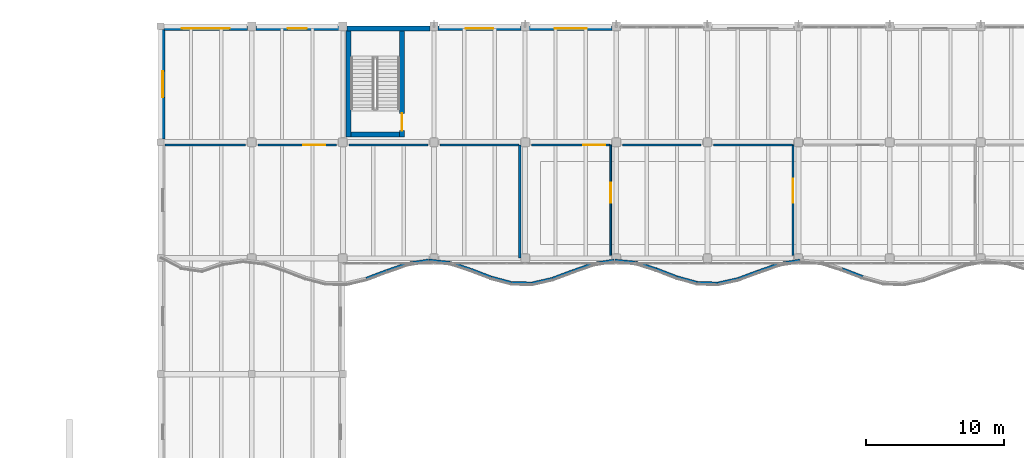
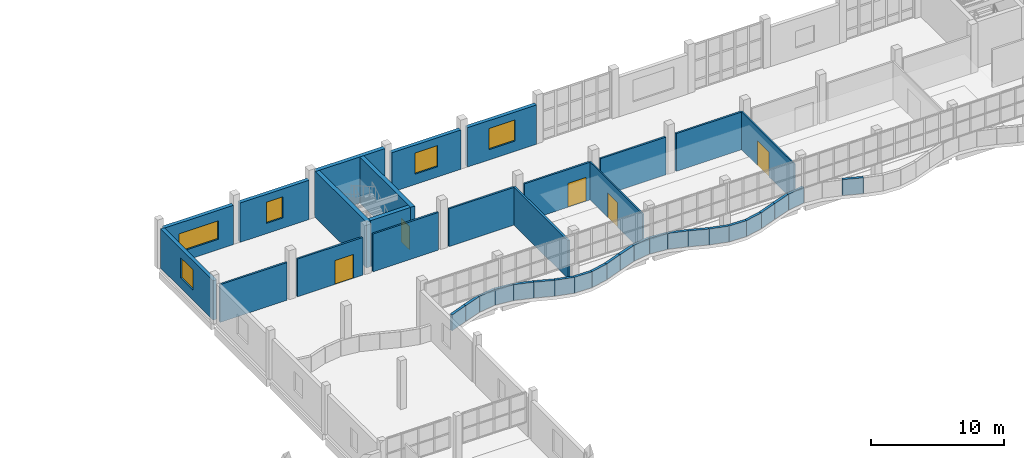
# One storey, part 48 of 76: 41 walls, 5 doors, 5 windows, 10 openings.
"""IFC4 building model written with IfcOpenShell, lengths in metres."""

from ifc_helpers import new_model, si_unit, direction, frame, frame_2d, origin, place, context, subcontext, project, spatial, rectangle, extrude, material, layer, layer_set, type_object, element, fill, save


model = new_model("IFC4")

# Units and contexts
model_context = context("Model", 3, precision=1e-05, world=origin(), true_north=direction((0.0, 1.0)))
body_context = subcontext(model_context, "Body", "Model", "MODEL_VIEW")
ifc_project = project(units=[si_unit("LENGTHUNIT", "METRE"), si_unit("AREAUNIT", "SQUARE_METRE"), si_unit("VOLUMEUNIT", "CUBIC_METRE"), si_unit("PLANEANGLEUNIT", "RADIAN"), si_unit("MASSUNIT", "GRAM", prefix="KILO")], contexts=[model_context])

# Site, building, storey
site_placement = place(None, origin())
site = spatial("IfcSite", under=ifc_project, at=site_placement, CompositionType="ELEMENT")
building_placement = place(site_placement, origin())
building = spatial("IfcBuilding", under=site, at=building_placement, Name="Qaldarim Faculty of Natural and Applied Sciences", CompositionType="ELEMENT")
storey_placement = place(building_placement, frame((0.0, 0.0, 9.89990234375)))
storey = spatial("IfcBuildingStorey", under=building, at=storey_placement, Name="L02", CompositionType="ELEMENT", Elevation=9.89990234375)

# Wall, opening, door
ifc_material_1 = material(Name="Painted gypsum partition board")
ifc_layer_1 = layer(ifc_material_1, 0.1201171875)
ifc_layer_set_1 = layer_set([ifc_layer_1], Name="Painted gypsum partition board")
wall_type_1 = type_object("IfcWallType", Name="AcousticPartition-120", PredefinedType="PARTITIONING", material=ifc_layer_set_1)
wall_1_placement = place(storey_placement, frame((65.60009765625, 101.0, 0.0), z_axis=(0.0, 0.0, 1.0), x_axis=(0.0, 1.0, 0.0)))
wall_1 = element("IfcWall", 1, at=wall_1_placement, inside=storey, type_object=wall_type_1, Name="Interior partition PRT-L02-V4-SUB-1", PredefinedType="PARTITIONING", context=body_context, shape_type="SweptSolid", body=[
    extrude(rectangle(XDim=8.0, YDim=0.1201171875, at=frame_2d((4.0, 0.0))), origin(), (0.0, 0.0, 1.0), 3.489990234375),
])
opening_1_placement = place(wall_1_placement, frame((3.800048828125, 0.0, 0.0)))
opening_1 = element("IfcOpeningElement", 2, at=opening_1_placement, cuts=wall_1, Name="Opening ID11", PredefinedType="OPENING", context=body_context, shape_type="SweptSolid", body=[
    extrude(rectangle(XDim=1.449951171875, YDim=2.25, at=frame_2d((0.72509765625, 1.125))), frame((0.0, 0.070068359375, 0.0), z_axis=(0.0, -1.0, 0.0), x_axis=(1.0, 0.0, 0.0)), (0.0, 0.0, 1.0), 0.14013671875),
])
ifc_material_2 = material(Name="Architectural stainless steel 316", Category="steel")
door_type_1 = type_object("IfcDoorType", Name="InstrumentSuiteDoor-1450x2250", OperationType="NOTDEFINED", PredefinedType="DOOR", material=ifc_material_2)
door_1_placement = place(opening_1_placement, origin())
door_1 = element("IfcDoor", 3, at=door_1_placement, inside=storey, type_object=door_type_1, Name="Interior door D-L02-326", OperationType="SINGLE_SWING_LEFT", OverallHeight=2.25, OverallWidth=1.449951171875, PredefinedType="DOOR", context=body_context, shape_type="SweptSolid", body=[
    extrude(rectangle(XDim=1.449951171875, YDim=2.25, at=frame_2d((0.72509765625, 1.125))), frame((0.0, 0.02490234375, 0.0), z_axis=(0.0, -1.0, 0.0), x_axis=(1.0, 0.0, 0.0)), (0.0, 0.0, 1.0), 0.050048828125),
])
fill(opening_1, door_1)

wall_2_placement = place(storey_placement, frame((78.800048828125, 101.0, 0.0), z_axis=(0.0, 0.0, 1.0), x_axis=(0.0, 1.0, 0.0)))
wall_2 = element("IfcWall", 4, at=wall_2_placement, inside=storey, type_object=wall_type_1, Name="Interior partition PRT-L02-V4-SUB-2", PredefinedType="PARTITIONING", context=body_context, shape_type="SweptSolid", body=[
    extrude(rectangle(XDim=8.0, YDim=0.1201171875, at=frame_2d((4.0, 0.0))), origin(), (0.0, 0.0, 1.0), 3.489990234375),
])
opening_2_placement = place(wall_2_placement, frame((3.800048828125, 0.0, 0.0)))
opening_2 = element("IfcOpeningElement", 5, at=opening_2_placement, cuts=wall_2, Name="Opening ID12", PredefinedType="OPENING", context=body_context, shape_type="SweptSolid", body=[
    extrude(rectangle(XDim=1.75, YDim=2.300048828125, at=frame_2d((0.875, 1.14990234375))), frame((0.0, 0.070068359375, 0.0), z_axis=(0.0, -1.0, 0.0), x_axis=(1.0, 0.0, 0.0)), (0.0, 0.0, 1.0), 0.14013671875),
])
door_type_2 = type_object("IfcDoorType", Name="WorkshopDoubleDoor-1750x2300", OperationType="NOTDEFINED", PredefinedType="DOOR", material=ifc_material_2)
door_2_placement = place(opening_2_placement, origin())
door_2 = element("IfcDoor", 6, at=door_2_placement, inside=storey, type_object=door_type_2, Name="Interior door D-L02-327", OperationType="SINGLE_SWING_LEFT", OverallHeight=2.300048828125, OverallWidth=1.75, PredefinedType="DOOR", context=body_context, shape_type="SweptSolid", body=[
    extrude(rectangle(XDim=1.75, YDim=2.300048828125, at=frame_2d((0.875, 1.14990234375))), frame((0.0, 0.02490234375, 0.0), z_axis=(0.0, -1.0, 0.0), x_axis=(1.0, 0.0, 0.0)), (0.0, 0.0, 1.0), 0.050048828125),
])
fill(opening_2, door_2)

# Wall
ifc_material_3 = material(Name="Concrete C50/60", Category="concrete")
ifc_layer_2 = layer(ifc_material_3, 0.360107421875)
ifc_layer_set_2 = layer_set([ifc_layer_2], Name="Concrete C50/60")
wall_type_2 = type_object("IfcWallType", Name="CoreShearWall-360", PredefinedType="SHEAR", material=ifc_layer_set_2)
wall_3_placement = place(storey_placement, frame((46.6201171875, 109.590087890625, 0.0), z_axis=(0.0, 0.0, 1.0), x_axis=(0.0, 1.0, 0.0)))
element("IfcWall", 7, at=wall_3_placement, inside=storey, type_object=wall_type_2, Name="Core stair ST-B2 west shear wall L02", PredefinedType="SHEAR", context=body_context, shape_type="SweptSolid", body=[
    extrude(rectangle(XDim=7.83984375, YDim=0.360107421875, at=frame_2d((3.919921875, 0.0))), origin(), (0.0, 0.0, 1.0), 4.239990234375),
])

# Wall, opening, door
wall_4_placement = place(storey_placement, frame((50.47998046875, 109.590087890625, 0.0), z_axis=(0.0, 0.0, 1.0), x_axis=(0.0, 1.0, 0.0)))
wall_4 = element("IfcWall", 8, at=wall_4_placement, inside=storey, type_object=wall_type_2, Name="Core stair ST-B2 east shear wall L02", PredefinedType="SHEAR", context=body_context, shape_type="SweptSolid", body=[
    extrude(rectangle(XDim=7.83984375, YDim=0.360107421875, at=frame_2d((3.919921875, 0.0))), origin(), (0.0, 0.0, 1.0), 4.239990234375),
])
opening_3_placement = place(wall_4_placement, frame((0.449951171875, 0.0, 0.0)))
opening_3 = element("IfcOpeningElement", 9, at=opening_3_placement, cuts=wall_4, Name="Opening ID04", PredefinedType="OPENING", context=body_context, shape_type="SweptSolid", body=[
    extrude(rectangle(XDim=1.25, YDim=2.14990234375, at=frame_2d((0.625, 1.074951171875))), frame((0.0, 0.18994140625, 0.0), z_axis=(0.0, -1.0, 0.0), x_axis=(1.0, 0.0, 0.0)), (0.0, 0.0, 1.0), 0.380126953125),
])
door_type_3 = type_object("IfcDoorType", Name="StairEnclosureFireDoor-1250x2150", OperationType="NOTDEFINED", PredefinedType="DOOR", material=ifc_material_2)
door_3_placement = place(opening_3_placement, origin())
door_3 = element("IfcDoor", 10, at=door_3_placement, inside=storey, type_object=door_type_3, Name="Protected stair ST-B2 fire door D-L02-535", OperationType="SINGLE_SWING_RIGHT", OverallHeight=2.14990234375, OverallWidth=1.25, PredefinedType="DOOR", context=body_context, shape_type="SweptSolid", body=[
    extrude(rectangle(XDim=1.25, YDim=2.14990234375, at=frame_2d((0.625, 1.074951171875))), frame((0.0, 0.02490234375, 0.0), z_axis=(0.0, -1.0, 0.0), x_axis=(1.0, 0.0, 0.0)), (0.0, 0.0, 1.0), 0.050048828125),
])
fill(opening_3, door_3)

# Wall
wall_5_placement = place(storey_placement, frame((46.800048828125, 109.77001953125, 0.0), z_axis=(0.0, 0.0, 1.0), x_axis=(1.0, 0.0, 0.0)))
element("IfcWall", 11, at=wall_5_placement, inside=storey, type_object=wall_type_2, Name="Core stair ST-B2 south shear wall L02", PredefinedType="SHEAR", context=body_context, shape_type="SweptSolid", body=[
    extrude(rectangle(XDim=3.5, YDim=0.360107421875, at=frame_2d((1.75, 0.0))), origin(), (0.0, 0.0, 1.0), 4.239990234375),
])

# Wall, opening, window
ifc_material_4 = material(Name="Precast concrete C40/50", Category="concrete")
ifc_layer_3 = layer(ifc_material_4, 0.320068359375)
ifc_layer_set_3 = layer_set([ifc_layer_3], Name="Precast concrete C40/50")
wall_type_3 = type_object("IfcWallType", Name="ExteriorLimestoneWall-320", PredefinedType="SOLIDWALL", material=ifc_layer_set_3)
wall_6_placement = place(storey_placement, frame((39.304931640625, 117.43994140625, 0.0), z_axis=(0.0, 0.0, 1.0), x_axis=(-1.0, 0.0, 0.0)))
wall_6 = element("IfcWall", 12, at=wall_6_placement, inside=storey, type_object=wall_type_3, Name="Exterior wall EW01 L02 N X06Y14", PredefinedType="SOLIDWALL", context=body_context, shape_type="SweptSolid", body=[
    extrude(rectangle(XDim=6.059814453125, YDim=0.320068359375, at=frame_2d((3.02978515625, 0.0))), origin(), (0.0, 0.0, 1.0), 3.625),
])
opening_4_placement = place(wall_6_placement, frame((1.304931640625, 0.0, 0.949951171875)))
opening_4 = element("IfcOpeningElement", 13, at=opening_4_placement, cuts=wall_6, Name="Opening WN16", PredefinedType="OPENING", context=body_context, shape_type="SweptSolid", body=[
    extrude(rectangle(XDim=3.449951171875, YDim=1.699951171875, at=frame_2d((1.72509765625, 0.85009765625))), frame((0.0, 0.169921875, 0.0), z_axis=(0.0, -1.0, 0.0), x_axis=(1.0, 0.0, 0.0)), (0.0, 0.0, 1.0), 0.340087890625),
])
ifc_material_5 = material(Name="Insulated low-e double glazing", Category="glass")
window_type_1 = type_object("IfcWindowType", Name="LabWindow-3450x1700", PartitioningType="TRIPLE_PANEL_VERTICAL", PredefinedType="WINDOW", material=ifc_material_5)
window_1_placement = place(opening_4_placement, origin())
window_1 = element("IfcWindow", 14, at=window_1_placement, inside=storey, type_object=window_type_1, Name="Facade window WN16 L02 N X06Y14", OverallHeight=1.699951171875, OverallWidth=3.449951171875, PartitioningType="SINGLE_PANEL", PredefinedType="WINDOW", context=body_context, shape_type="SweptSolid", body=[
    extrude(rectangle(XDim=3.449951171875, YDim=1.699951171875, at=frame_2d((1.72509765625, 0.85009765625))), frame((0.0, 0.030029296875, 0.0), z_axis=(0.0, -1.0, 0.0), x_axis=(1.0, 0.0, 0.0)), (0.0, 0.0, 1.0), 0.06005859375),
])
fill(opening_4, window_1)

wall_7_placement = place(storey_placement, frame((33.159912109375, 117.35498046875, 0.0), z_axis=(0.0, 0.0, 1.0), x_axis=(0.0, -1.0, 0.0)))
wall_7 = element("IfcWall", 15, at=wall_7_placement, inside=storey, type_object=wall_type_3, Name="Exterior wall EW01 L02 W X06Y14", PredefinedType="SOLIDWALL", context=body_context, shape_type="SweptSolid", body=[
    extrude(rectangle(XDim=7.909912109375, YDim=0.320068359375, at=frame_2d((3.955078125, 0.0))), origin(), (0.0, 0.0, 1.0), 3.625),
])
opening_5_placement = place(wall_7_placement, frame((3.0048828125, 0.0, 0.949951171875)))
opening_5 = element("IfcOpeningElement", 16, at=opening_5_placement, cuts=wall_7, Name="Opening WN20", PredefinedType="OPENING", context=body_context, shape_type="SweptSolid", body=[
    extrude(rectangle(XDim=1.89990234375, YDim=1.85009765625, at=frame_2d((0.949951171875, 0.925048828125))), frame((0.0, 0.169921875, 0.0), z_axis=(0.0, -1.0, 0.0), x_axis=(1.0, 0.0, 0.0)), (0.0, 0.0, 1.0), 0.340087890625),
])
window_type_2 = type_object("IfcWindowType", Name="StudyWindow-1900x1850", PartitioningType="DOUBLE_PANEL_VERTICAL", PredefinedType="WINDOW", material=ifc_material_5)
window_2_placement = place(opening_5_placement, origin())
window_2 = element("IfcWindow", 17, at=window_2_placement, inside=storey, type_object=window_type_2, Name="Facade window WN20 L02 W X06Y14", OverallHeight=1.85009765625, OverallWidth=1.89990234375, PartitioningType="SINGLE_PANEL", PredefinedType="WINDOW", context=body_context, shape_type="SweptSolid", body=[
    extrude(rectangle(XDim=1.89990234375, YDim=1.85009765625, at=frame_2d((0.949951171875, 0.925048828125))), frame((0.0, 0.030029296875, 0.0), z_axis=(0.0, -1.0, 0.0), x_axis=(1.0, 0.0, 0.0)), (0.0, 0.0, 1.0), 0.06005859375),
])
fill(opening_5, window_2)

wall_8_placement = place(storey_placement, frame((45.905029296875, 117.43994140625, 0.0), z_axis=(0.0, 0.0, 1.0), x_axis=(-1.0, 0.0, 0.0)))
wall_8 = element("IfcWall", 18, at=wall_8_placement, inside=storey, type_object=wall_type_3, Name="Exterior wall EW01 L02 N X07Y14", PredefinedType="SOLIDWALL", context=body_context, shape_type="SweptSolid", body=[
    extrude(rectangle(XDim=6.010009765625, YDim=0.320068359375, at=frame_2d((3.0048828125, 0.0))), origin(), (0.0, 0.0, 1.0), 3.625),
])
opening_6_placement = place(wall_8_placement, frame((2.304931640625, 0.0, 0.949951171875)))
opening_6 = element("IfcOpeningElement", 19, at=opening_6_placement, cuts=wall_8, Name="Opening WN25", PredefinedType="OPENING", context=body_context, shape_type="SweptSolid", body=[
    extrude(rectangle(XDim=1.39990234375, YDim=1.949951171875, at=frame_2d((0.699951171875, 0.97509765625))), frame((0.0, 0.169921875, 0.0), z_axis=(0.0, -1.0, 0.0), x_axis=(1.0, 0.0, 0.0)), (0.0, 0.0, 1.0), 0.340087890625),
])
window_type_3 = type_object("IfcWindowType", Name="GalleryWindow-1400x1950", PartitioningType="DOUBLE_PANEL_VERTICAL", PredefinedType="WINDOW", material=ifc_material_5)
window_3_placement = place(opening_6_placement, origin())
window_3 = element("IfcWindow", 20, at=window_3_placement, inside=storey, type_object=window_type_3, Name="Facade window WN25 L02 N X07Y14", OverallHeight=1.949951171875, OverallWidth=1.39990234375, PartitioningType="SINGLE_PANEL", PredefinedType="WINDOW", context=body_context, shape_type="SweptSolid", body=[
    extrude(rectangle(XDim=1.39990234375, YDim=1.949951171875, at=frame_2d((0.699951171875, 0.97509765625))), frame((0.0, 0.030029296875, 0.0), z_axis=(0.0, -1.0, 0.0), x_axis=(1.0, 0.0, 0.0)), (0.0, 0.0, 1.0), 0.06005859375),
])
fill(opening_6, window_3)

wall_9_placement = place(storey_placement, frame((59.10498046875, 117.43994140625, 0.0), z_axis=(0.0, 0.0, 1.0), x_axis=(-1.0, 0.0, 0.0)))
wall_9 = element("IfcWall", 21, at=wall_9_placement, inside=storey, type_object=wall_type_3, Name="Exterior wall EW01 L02 N X09Y14", PredefinedType="SOLIDWALL", context=body_context, shape_type="SweptSolid", body=[
    extrude(rectangle(XDim=6.010009765625, YDim=0.320068359375, at=frame_2d((3.0048828125, 0.0))), origin(), (0.0, 0.0, 1.0), 3.625),
])
opening_7_placement = place(wall_9_placement, frame((2.0048828125, 0.0, 0.949951171875)))
opening_7 = element("IfcOpeningElement", 22, at=opening_7_placement, cuts=wall_9, Name="Opening WN27", PredefinedType="OPENING", context=body_context, shape_type="SweptSolid", body=[
    extrude(rectangle(XDim=2.0, YDim=1.949951171875, at=frame_2d((1.0, 0.97509765625))), frame((0.0, 0.169921875, 0.0), z_axis=(0.0, -1.0, 0.0), x_axis=(1.0, 0.0, 0.0)), (0.0, 0.0, 1.0), 0.340087890625),
])
window_type_4 = type_object("IfcWindowType", Name="GalleryWindow-2000x1950", PartitioningType="DOUBLE_PANEL_VERTICAL", PredefinedType="WINDOW", material=ifc_material_5)
window_4_placement = place(opening_7_placement, origin())
window_4 = element("IfcWindow", 23, at=window_4_placement, inside=storey, type_object=window_type_4, Name="Facade window WN27 L02 N X09Y14", OverallHeight=1.949951171875, OverallWidth=2.0, PartitioningType="SINGLE_PANEL", PredefinedType="WINDOW", context=body_context, shape_type="SweptSolid", body=[
    extrude(rectangle(XDim=2.0, YDim=1.949951171875, at=frame_2d((1.0, 0.97509765625))), frame((0.0, 0.030029296875, 0.0), z_axis=(0.0, -1.0, 0.0), x_axis=(1.0, 0.0, 0.0)), (0.0, 0.0, 1.0), 0.06005859375),
])
fill(opening_7, window_4)

wall_10_placement = place(storey_placement, frame((65.705078125, 117.43994140625, 0.0), z_axis=(0.0, 0.0, 1.0), x_axis=(-1.0, 0.0, 0.0)))
wall_10 = element("IfcWall", 24, at=wall_10_placement, inside=storey, type_object=wall_type_3, Name="Exterior wall EW01 L02 N X10Y14", PredefinedType="SOLIDWALL", context=body_context, shape_type="SweptSolid", body=[
    extrude(rectangle(XDim=6.010009765625, YDim=0.320068359375, at=frame_2d((3.0048828125, 0.0))), origin(), (0.0, 0.0, 1.0), 3.625),
])
opening_8_placement = place(wall_10_placement, frame((1.85498046875, 0.0, 0.949951171875)))
opening_8 = element("IfcOpeningElement", 25, at=opening_8_placement, cuts=wall_10, Name="Opening WN28", PredefinedType="OPENING", context=body_context, shape_type="SweptSolid", body=[
    extrude(rectangle(XDim=2.300048828125, YDim=1.949951171875, at=frame_2d((1.14990234375, 0.97509765625))), frame((0.0, 0.169921875, 0.0), z_axis=(0.0, -1.0, 0.0), x_axis=(1.0, 0.0, 0.0)), (0.0, 0.0, 1.0), 0.340087890625),
])
window_type_5 = type_object("IfcWindowType", Name="GalleryWindow-2300x1950", PartitioningType="TRIPLE_PANEL_VERTICAL", PredefinedType="WINDOW", material=ifc_material_5)
window_5_placement = place(opening_8_placement, origin())
window_5 = element("IfcWindow", 26, at=window_5_placement, inside=storey, type_object=window_type_5, Name="Facade window WN28 L02 N X10Y14", OverallHeight=1.949951171875, OverallWidth=2.300048828125, PartitioningType="SINGLE_PANEL", PredefinedType="WINDOW", context=body_context, shape_type="SweptSolid", body=[
    extrude(rectangle(XDim=2.300048828125, YDim=1.949951171875, at=frame_2d((1.14990234375, 0.97509765625))), frame((0.0, 0.030029296875, 0.0), z_axis=(0.0, -1.0, 0.0), x_axis=(1.0, 0.0, 0.0)), (0.0, 0.0, 1.0), 0.06005859375),
])
fill(opening_8, window_5)

# Walls
ifc_layer_4 = layer(ifc_material_3, 0.340087890625)
ifc_layer_set_4 = layer_set([ifc_layer_4], Name="Concrete C50/60")
wall_type_4 = type_object("IfcWallType", Name="ExteriorStairShearWall-340", PredefinedType="SHEAR", material=ifc_layer_set_4)
wall_11_placement = place(storey_placement, frame((52.5048828125, 117.429931640625, 0.0), z_axis=(0.0, 0.0, 1.0), x_axis=(-1.0, 0.0, 0.0)))
element("IfcWall", 27, at=wall_11_placement, inside=storey, type_object=wall_type_4, Name="Exterior wall EW05 L02 N X08Y14", PredefinedType="SHEAR", context=body_context, shape_type="SweptSolid", body=[
    extrude(rectangle(XDim=6.009765625, YDim=0.340087890625, at=frame_2d((3.0048828125, 0.0))), origin(), (0.0, 0.0, 1.0), 4.239990234375),
])
ifc_material_6 = material(Name="Concrete C40/50", Category="concrete")
ifc_layer_5 = layer(ifc_material_6, 0.159912109375)
ifc_layer_set_5 = layer_set([ifc_layer_5], Name="Concrete C40/50")
wall_type_5 = type_object("IfcWallType", Name="FireCorridorWall-160", PredefinedType="PARTITIONING", material=ifc_layer_set_5)
wall_12_placement = place(storey_placement, frame((33.320068359375, 109.0, 0.0), z_axis=(0.0, 0.0, 1.0), x_axis=(1.0, 0.0, 0.0)))
element("IfcWall", 28, at=wall_12_placement, inside=storey, type_object=wall_type_5, Name="Interior partition PRT-L02-V4-CORSW-S1", PredefinedType="PARTITIONING", context=body_context, shape_type="SweptSolid", body=[
    extrude(rectangle(XDim=5.829833984375, YDim=0.159912109375, at=frame_2d((2.9150390625, 0.0))), origin(), (0.0, 0.0, 1.0), 3.47509765625),
])

# Wall, opening, door
wall_13_placement = place(storey_placement, frame((40.050048828125, 109.0, 0.0), z_axis=(0.0, 0.0, 1.0), x_axis=(1.0, 0.0, 0.0)))
wall_13 = element("IfcWall", 29, at=wall_13_placement, inside=storey, type_object=wall_type_5, Name="Interior partition PRT-L02-V4-CORSW-S2", PredefinedType="PARTITIONING", context=body_context, shape_type="SweptSolid", body=[
    extrude(rectangle(XDim=5.699951171875, YDim=0.159912109375, at=frame_2d((2.85009765625, 0.0))), origin(), (0.0, 0.0, 1.0), 3.47509765625),
])
opening_9_placement = place(wall_13_placement, frame((3.27001953125, 0.0, 0.0)))
opening_9 = element("IfcOpeningElement", 30, at=opening_9_placement, cuts=wall_13, Name="Opening ID06", PredefinedType="OPENING", context=body_context, shape_type="SweptSolid", body=[
    extrude(rectangle(XDim=1.60009765625, YDim=2.199951171875, at=frame_2d((0.800048828125, 1.10009765625))), frame((0.0, 0.08984375, 0.0), z_axis=(0.0, -1.0, 0.0), x_axis=(1.0, 0.0, 0.0)), (0.0, 0.0, 1.0), 0.179931640625),
])
door_type_4 = type_object("IfcDoorType", Name="LabEquipmentDoubleDoor-1600x2200", OperationType="NOTDEFINED", PredefinedType="DOOR", material=ifc_material_2)
door_4_placement = place(opening_9_placement, origin())
door_4 = element("IfcDoor", 31, at=door_4_placement, inside=storey, type_object=door_type_4, Name="Interior door D-L02-214", OperationType="DOUBLE_DOOR_SINGLE_SWING", OverallHeight=2.199951171875, OverallWidth=1.60009765625, PredefinedType="DOOR", context=body_context, shape_type="SweptSolid", body=[
    extrude(rectangle(XDim=1.60009765625, YDim=2.199951171875, at=frame_2d((0.800048828125, 1.10009765625))), frame((0.0, 0.02490234375, 0.0), z_axis=(0.0, -1.0, 0.0), x_axis=(1.0, 0.0, 0.0)), (0.0, 0.0, 1.0), 0.050048828125),
])
fill(opening_9, door_4)

# Walls
wall_14_placement = place(storey_placement, frame((46.64990234375, 109.0, 0.0), z_axis=(0.0, 0.0, 1.0), x_axis=(1.0, 0.0, 0.0)))
element("IfcWall", 32, at=wall_14_placement, inside=storey, type_object=wall_type_5, Name="Interior partition PRT-L02-V4-CORSW-S3", PredefinedType="PARTITIONING", context=body_context, shape_type="SweptSolid", body=[
    extrude(rectangle(XDim=5.7001953125, YDim=0.159912109375, at=frame_2d((2.85009765625, 0.0))), origin(), (0.0, 0.0, 1.0), 3.47509765625),
])
wall_15_placement = place(storey_placement, frame((53.25, 109.0, 0.0), z_axis=(0.0, 0.0, 1.0), x_axis=(1.0, 0.0, 0.0)))
element("IfcWall", 33, at=wall_15_placement, inside=storey, type_object=wall_type_5, Name="Interior partition PRT-L02-V4-CORSW-S4", PredefinedType="PARTITIONING", context=body_context, shape_type="SweptSolid", body=[
    extrude(rectangle(XDim=5.699951171875, YDim=0.159912109375, at=frame_2d((2.85009765625, 0.0))), origin(), (0.0, 0.0, 1.0), 3.47509765625),
])

# Wall, opening, door
wall_16_placement = place(storey_placement, frame((59.85009765625, 109.0, 0.0), z_axis=(0.0, 0.0, 1.0), x_axis=(1.0, 0.0, 0.0)))
wall_16 = element("IfcWall", 34, at=wall_16_placement, inside=storey, type_object=wall_type_5, Name="Interior partition PRT-L02-V4-CORSW-S5", PredefinedType="PARTITIONING", context=body_context, shape_type="SweptSolid", body=[
    extrude(rectangle(XDim=5.699951171875, YDim=0.159912109375, at=frame_2d((2.85009765625, 0.0))), origin(), (0.0, 0.0, 1.0), 3.47509765625),
])
opening_10_placement = place(wall_16_placement, frame((3.75, 0.0, 0.0)))
opening_10 = element("IfcOpeningElement", 35, at=opening_10_placement, cuts=wall_16, Name="Opening ID06", PredefinedType="OPENING", context=body_context, shape_type="SweptSolid", body=[
    extrude(rectangle(XDim=1.60009765625, YDim=2.199951171875, at=frame_2d((0.800048828125, 1.10009765625))), frame((0.0, 0.08984375, 0.0), z_axis=(0.0, -1.0, 0.0), x_axis=(1.0, 0.0, 0.0)), (0.0, 0.0, 1.0), 0.179931640625),
])
door_5_placement = place(opening_10_placement, origin())
door_5 = element("IfcDoor", 36, at=door_5_placement, inside=storey, type_object=door_type_4, Name="Interior door D-L02-215", OperationType="DOUBLE_DOOR_SINGLE_SWING", OverallHeight=2.199951171875, OverallWidth=1.60009765625, PredefinedType="DOOR", context=body_context, shape_type="SweptSolid", body=[
    extrude(rectangle(XDim=1.60009765625, YDim=2.199951171875, at=frame_2d((0.800048828125, 1.10009765625))), frame((0.0, 0.02490234375, 0.0), z_axis=(0.0, -1.0, 0.0), x_axis=(1.0, 0.0, 0.0)), (0.0, 0.0, 1.0), 0.050048828125),
])
fill(opening_10, door_5)

# Walls
for number, where, z_axis, x_axis, name in (
    (37, (66.449951171875, 109.0, 0.0), (0.0, 0.0, 1.0), (1.0, 0.0, 0.0), "Interior partition PRT-L02-V4-CORSW-S6"),
    (38, (73.050048828125, 109.0, 0.0), (0.0, 0.0, 1.0), (1.0, 0.0, 0.0), "Interior partition PRT-L02-V4-CORSW-S7"),
):
    element("IfcWall", number, at=place(storey_placement, frame(where, z_axis=z_axis, x_axis=x_axis)), inside=storey, type_object=wall_type_5, Name=name, PredefinedType="PARTITIONING", context=body_context, shape_type="SweptSolid", body=[
        extrude(rectangle(XDim=5.699951171875, YDim=0.159912109375, at=frame_2d((2.85009765625, 0.0))), origin(), (0.0, 0.0, 1.0), 3.47509765625),
    ])
ifc_layer_6 = layer(ifc_material_6, 0.179931640625)
ifc_layer_set_6 = layer_set([ifc_layer_6], Name="Concrete C40/50")
wall_type_6 = type_object("IfcWallType", Name="LabFireCompartmentWall-180", PredefinedType="SOLIDWALL", material=ifc_layer_set_6)
wall_17_placement = place(storey_placement, frame((59.0, 100.800048828125, 0.0), z_axis=(0.0, 0.0, 1.0), x_axis=(0.0, 1.0, 0.0)))
element("IfcWall", 39, at=wall_17_placement, inside=storey, type_object=wall_type_6, Name="Interior partition PRT-L02-V4-BIOD", PredefinedType="SOLIDWALL", context=body_context, shape_type="SweptSolid", body=[
    extrude(rectangle(XDim=8.199951171875, YDim=0.179931640625, at=frame_2d((4.10009765625, 0.0))), origin(), (0.0, 0.0, 1.0), 3.489990234375),
])
ifc_material_7 = material(Name="White architectural precast concrete C40/50", Category="concrete")
ifc_layer_7 = layer(ifc_material_7, 0.219970703125)
ifc_layer_set_7 = layer_set([ifc_layer_7], Name="White architectural precast concrete C40/50")
wall_type_7 = type_object("IfcWallType", Name="WhitePrecastWaveBand-220", PredefinedType="SOLIDWALL", material=ifc_layer_set_7)
wall_18_placement = place(storey_placement, frame((47.89501953125, 99.320068359375, 0.0), z_axis=(0.0, 0.0, 1.0), x_axis=(0.935428314488, 0.353516433076, 0.0)))
element("IfcWall", 40, at=wall_18_placement, inside=storey, type_object=wall_type_7, Name="White precast wave spandrel band L02 chord 11", PredefinedType="SOLIDWALL", context=body_context, shape_type="SweptSolid", body=[
    extrude(rectangle(XDim=1.59814453125, YDim=0.219970703125, at=frame_2d((0.799072265625, 0.0))), origin(), (0.0, 0.0, 1.0), 1.4501953125),
])
wall_19_placement = place(storey_placement, frame((49.39501953125, 99.885009765625, 0.0), z_axis=(0.0, 0.0, 1.0), x_axis=(0.945157178061, 0.326615842787, 0.0)))
element("IfcWall", 41, at=wall_19_placement, inside=storey, type_object=wall_type_7, Name="White precast wave spandrel band L02 chord 12", PredefinedType="SOLIDWALL", context=body_context, shape_type="SweptSolid", body=[
    extrude(rectangle(XDim=1.576416015625, YDim=0.219970703125, at=frame_2d((0.7880859375, 0.0))), origin(), (0.0, 0.0, 1.0), 1.4501953125),
])
wall_20_placement = place(storey_placement, frame((50.909912109375, 100.409912109375, 0.0), z_axis=(0.0, 0.0, 1.0), x_axis=(0.988375429001, 0.152032928498, 0.0)))
element("IfcWall", 42, at=wall_20_placement, inside=storey, type_object=wall_type_7, Name="White precast wave spandrel band L02 chord 13", PredefinedType="SOLIDWALL", context=body_context, shape_type="SweptSolid", body=[
    extrude(rectangle(XDim=1.5126953125, YDim=0.219970703125, at=frame_2d((0.75634765625, 0.0))), origin(), (0.0, 0.0, 1.0), 1.4501953125),
])
wall_21_placement = place(storey_placement, frame((52.43994140625, 100.639892578125, 0.0), z_axis=(0.0, 0.0, 1.0), x_axis=(0.993603599941, -0.112924249765, 0.0)))
element("IfcWall", 43, at=wall_21_placement, inside=storey, type_object=wall_type_7, Name="White precast wave spandrel band L02 chord 14", PredefinedType="SOLIDWALL", context=body_context, shape_type="SweptSolid", body=[
    extrude(rectangle(XDim=1.504638671875, YDim=0.219970703125, at=frame_2d((0.75244140625, 0.0))), origin(), (0.0, 0.0, 1.0), 1.4501953125),
])
wall_22_placement = place(storey_placement, frame((53.965087890625, 100.465087890625, 0.0), z_axis=(0.0, 0.0, 1.0), x_axis=(0.951169825822, -0.308668045714, 0.0)))
element("IfcWall", 44, at=wall_22_placement, inside=storey, type_object=wall_type_7, Name="White precast wave spandrel band L02 chord 15", PredefinedType="SOLIDWALL", context=body_context, shape_type="SweptSolid", body=[
    extrude(rectangle(XDim=1.571533203125, YDim=0.219970703125, at=frame_2d((0.78564453125, 0.0))), origin(), (0.0, 0.0, 1.0), 1.4501953125),
])
wall_23_placement = place(storey_placement, frame((55.465087890625, 99.97509765625, 0.0), z_axis=(0.0, 0.0, 1.0), x_axis=(0.933294526731, -0.359111857746, 0.0)))
element("IfcWall", 45, at=wall_23_placement, inside=storey, type_object=wall_type_7, Name="White precast wave spandrel band L02 chord 16", PredefinedType="SOLIDWALL", context=body_context, shape_type="SweptSolid", body=[
    extrude(rectangle(XDim=1.601806640625, YDim=0.219970703125, at=frame_2d((0.80078125, 0.0))), origin(), (0.0, 0.0, 1.0), 1.4501953125),
])
wall_24_placement = place(storey_placement, frame((56.945068359375, 99.405029296875, 0.0), z_axis=(0.0, 0.0, 1.0), x_axis=(0.965990988019, -0.258575735647, 0.0)))
element("IfcWall", 46, at=wall_24_placement, inside=storey, type_object=wall_type_7, Name="White precast wave spandrel band L02 chord 17", PredefinedType="SOLIDWALL", context=body_context, shape_type="SweptSolid", body=[
    extrude(rectangle(XDim=1.547607421875, YDim=0.219970703125, at=frame_2d((0.77392578125, 0.0))), origin(), (0.0, 0.0, 1.0), 1.4501953125),
])
wall_25_placement = place(storey_placement, frame((58.409912109375, 99.010009765625, 0.0), z_axis=(0.0, 0.0, 1.0), x_axis=(0.99972748265, -0.023344387658, 0.0)))
element("IfcWall", 47, at=wall_25_placement, inside=storey, type_object=wall_type_7, Name="White precast wave spandrel band L02 chord 18", PredefinedType="SOLIDWALL", context=body_context, shape_type="SweptSolid", body=[
    extrude(rectangle(XDim=1.49560546875, YDim=0.219970703125, at=frame_2d((0.747802734375, 0.0))), origin(), (0.0, 0.0, 1.0), 1.4501953125),
])
wall_26_placement = place(storey_placement, frame((59.8701171875, 98.969970703125, 0.0), z_axis=(0.0, 0.0, 1.0), x_axis=(0.97492686988, 0.222525500531, 0.0)))
element("IfcWall", 48, at=wall_26_placement, inside=storey, type_object=wall_type_7, Name="White precast wave spandrel band L02 chord 19", PredefinedType="SOLIDWALL", context=body_context, shape_type="SweptSolid", body=[
    extrude(rectangle(XDim=1.5283203125, YDim=0.219970703125, at=frame_2d((0.76416015625, 0.0))), origin(), (0.0, 0.0, 1.0), 1.4501953125),
])
wall_27_placement = place(storey_placement, frame((61.340087890625, 99.304931640625, 0.0), z_axis=(0.0, 0.0, 1.0), x_axis=(0.936435980927, 0.350838500775, 0.0)))
element("IfcWall", 49, at=wall_27_placement, inside=storey, type_object=wall_type_7, Name="White precast wave spandrel band L02 chord 20", PredefinedType="SOLIDWALL", context=body_context, shape_type="SweptSolid", body=[
    extrude(rectangle(XDim=1.596435546875, YDim=0.219970703125, at=frame_2d((0.79833984375, 0.0))), origin(), (0.0, 0.0, 1.0), 1.4501953125),
])
wall_28_placement = place(storey_placement, frame((62.840087890625, 99.864990234375, 0.0), z_axis=(0.0, 0.0, 1.0), x_axis=(0.943523944363, 0.331304341072, 0.0)))
element("IfcWall", 50, at=wall_28_placement, inside=storey, type_object=wall_type_7, Name="White precast wave spandrel band L02 chord 21", PredefinedType="SOLIDWALL", context=body_context, shape_type="SweptSolid", body=[
    extrude(rectangle(XDim=1.58447265625, YDim=0.219970703125, at=frame_2d((0.792236328125, 0.0))), origin(), (0.0, 0.0, 1.0), 1.4501953125),
])
wall_29_placement = place(storey_placement, frame((64.360107421875, 100.39990234375, 0.0), z_axis=(0.0, 0.0, 1.0), x_axis=(0.987856970236, 0.155366039905, 0.0)))
element("IfcWall", 51, at=wall_29_placement, inside=storey, type_object=wall_type_7, Name="White precast wave spandrel band L02 chord 22", PredefinedType="SOLIDWALL", context=body_context, shape_type="SweptSolid", body=[
    extrude(rectangle(XDim=1.51318359375, YDim=0.219970703125, at=frame_2d((0.756591796875, 0.0))), origin(), (0.0, 0.0, 1.0), 1.4501953125),
])
wall_30_placement = place(storey_placement, frame((65.889892578125, 100.635009765625, 0.0), z_axis=(0.0, 0.0, 1.0), x_axis=(0.995011417931, -0.099761105586, 0.0)))
element("IfcWall", 52, at=wall_30_placement, inside=storey, type_object=wall_type_7, Name="White precast wave spandrel band L02 chord 23", PredefinedType="SOLIDWALL", context=body_context, shape_type="SweptSolid", body=[
    extrude(rectangle(XDim=1.502685546875, YDim=0.219970703125, at=frame_2d((0.75146484375, 0.0))), origin(), (0.0, 0.0, 1.0), 1.4501953125),
])
wall_31_placement = place(storey_placement, frame((67.4150390625, 100.47998046875, 0.0), z_axis=(0.0, 0.0, 1.0), x_axis=(0.952123971937, -0.305712188278, 0.0)))
element("IfcWall", 53, at=wall_31_placement, inside=storey, type_object=wall_type_7, Name="White precast wave spandrel band L02 chord 24", PredefinedType="SOLIDWALL", context=body_context, shape_type="SweptSolid", body=[
    extrude(rectangle(XDim=1.570068359375, YDim=0.219970703125, at=frame_2d((0.78515625, 0.0))), origin(), (0.0, 0.0, 1.0), 1.4501953125),
])
wall_32_placement = place(storey_placement, frame((68.9150390625, 99.9951171875, 0.0), z_axis=(0.0, 0.0, 1.0), x_axis=(0.933294526731, -0.359111857746, 0.0)))
element("IfcWall", 54, at=wall_32_placement, inside=storey, type_object=wall_type_7, Name="White precast wave spandrel band L02 chord 25", PredefinedType="SOLIDWALL", context=body_context, shape_type="SweptSolid", body=[
    extrude(rectangle(XDim=1.601806640625, YDim=0.219970703125, at=frame_2d((0.80078125, 0.0))), origin(), (0.0, 0.0, 1.0), 1.4501953125),
])
wall_33_placement = place(storey_placement, frame((70.39501953125, 99.425048828125, 0.0), z_axis=(0.0, 0.0, 1.0), x_axis=(0.964359250395, -0.264596364635, 0.0)))
element("IfcWall", 55, at=wall_33_placement, inside=storey, type_object=wall_type_7, Name="White precast wave spandrel band L02 chord 26", PredefinedType="SOLIDWALL", context=body_context, shape_type="SweptSolid", body=[
    extrude(rectangle(XDim=1.550048828125, YDim=0.219970703125, at=frame_2d((0.77490234375, 0.0))), origin(), (0.0, 0.0, 1.0), 1.4501953125),
])
wall_34_placement = place(storey_placement, frame((71.860107421875, 99.02001953125, 0.0), z_axis=(0.0, 0.0, 1.0), x_axis=(0.999436331626, -0.033571104044, 0.0)))
element("IfcWall", 56, at=wall_34_placement, inside=storey, type_object=wall_type_7, Name="White precast wave spandrel band L02 chord 27", PredefinedType="SOLIDWALL", context=body_context, shape_type="SweptSolid", body=[
    extrude(rectangle(XDim=1.49072265625, YDim=0.219970703125, at=frame_2d((0.745361328125, 0.0))), origin(), (0.0, 0.0, 1.0), 1.4501953125),
])
wall_35_placement = place(storey_placement, frame((73.31494140625, 98.965087890625, 0.0), z_axis=(0.0, 0.0, 1.0), x_axis=(0.976519827138, 0.215427545144, 0.0)))
element("IfcWall", 57, at=wall_35_placement, inside=storey, type_object=wall_type_7, Name="White precast wave spandrel band L02 chord 28", PredefinedType="SOLIDWALL", context=body_context, shape_type="SweptSolid", body=[
    extrude(rectangle(XDim=1.531005859375, YDim=0.219970703125, at=frame_2d((0.765625, 0.0))), origin(), (0.0, 0.0, 1.0), 1.4501953125),
])
wall_36_placement = place(storey_placement, frame((74.7900390625, 99.2900390625, 0.0), z_axis=(0.0, 0.0, 1.0), x_axis=(0.937488082076, 0.348017378827, 0.0)))
element("IfcWall", 58, at=wall_36_placement, inside=storey, type_object=wall_type_7, Name="White precast wave spandrel band L02 chord 29", PredefinedType="SOLIDWALL", context=body_context, shape_type="SweptSolid", body=[
    extrude(rectangle(XDim=1.594482421875, YDim=0.219970703125, at=frame_2d((0.79736328125, 0.0))), origin(), (0.0, 0.0, 1.0), 1.4501953125),
])
wall_37_placement = place(storey_placement, frame((76.2900390625, 99.844970703125, 0.0), z_axis=(0.0, 0.0, 1.0), x_axis=(0.942509092402, 0.334180506223, 0.0)))
element("IfcWall", 59, at=wall_37_placement, inside=storey, type_object=wall_type_7, Name="White precast wave spandrel band L02 chord 30", PredefinedType="SOLIDWALL", context=body_context, shape_type="SweptSolid", body=[
    extrude(rectangle(XDim=1.5859375, YDim=0.219970703125, at=frame_2d((0.79296875, 0.0))), origin(), (0.0, 0.0, 1.0), 1.4501953125),
])
wall_38_placement = place(storey_placement, frame((77.804931640625, 100.385009765625, 0.0), z_axis=(0.0, 0.0, 1.0), x_axis=(0.986306728251, 0.164921307924, 0.0)))
element("IfcWall", 60, at=wall_38_placement, inside=storey, type_object=wall_type_7, Name="White precast wave spandrel band L02 chord 31", PredefinedType="SOLIDWALL", context=body_context, shape_type="SweptSolid", body=[
    extrude(rectangle(XDim=1.515869140625, YDim=0.219970703125, at=frame_2d((0.7578125, 0.0))), origin(), (0.0, 0.0, 1.0), 1.4501953125),
])
wall_39_placement = place(storey_placement, frame((82.364990234375, 100.014892578125, 0.0), z_axis=(0.0, 0.0, 1.0), x_axis=(0.933365245405, -0.358928013215, 0.0)))
element("IfcWall", 61, at=wall_39_placement, inside=storey, type_object=wall_type_7, Name="White precast wave spandrel band L02 chord 34", PredefinedType="SOLIDWALL", context=body_context, shape_type="SweptSolid", body=[
    extrude(rectangle(XDim=1.601806640625, YDim=0.219970703125, at=frame_2d((0.80078125, 0.0))), origin(), (0.0, 0.0, 1.0), 1.4501953125),
])

save(model, "model.ifc")
